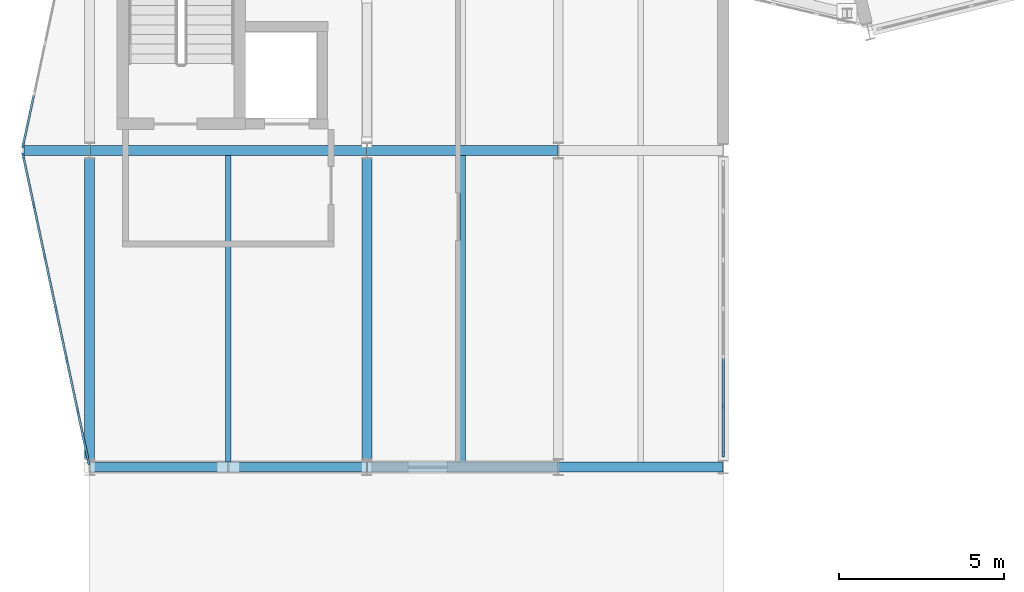
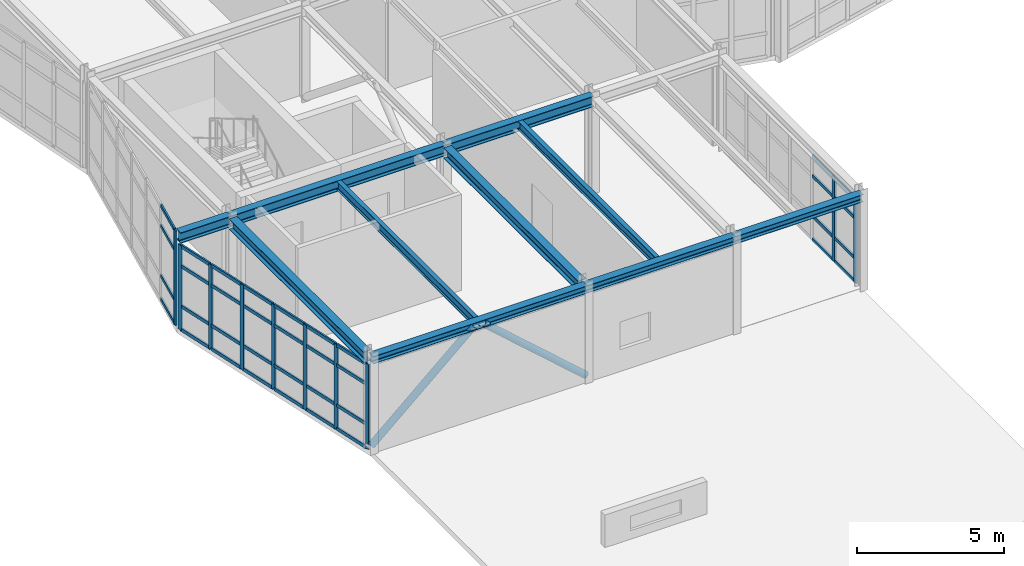
# One storey, part 14 of 88: 48 members, 10 beams, 3 elements without a shape of their own.
"""IFC4 building model written with IfcOpenShell, lengths in metres."""

from ifc_helpers import new_model, si_unit, direction, frame, origin, origin_2d, place, context, subcontext, project, spatial, rectangle, hollow_circle, i_section, extrude, material, layer, layer_set, material_profile, profile_set, type_object, element, aggregate, save


model = new_model("IFC4")

# Units and contexts
model_context = context("Model", 3, precision=1e-05, world=origin(), true_north=direction((0.0, 1.0)))
body_context = subcontext(model_context, "Body", "Model", "MODEL_VIEW")
ifc_project = project(units=[si_unit("LENGTHUNIT", "METRE"), si_unit("AREAUNIT", "SQUARE_METRE"), si_unit("VOLUMEUNIT", "CUBIC_METRE"), si_unit("PLANEANGLEUNIT", "RADIAN"), si_unit("MASSUNIT", "GRAM", prefix="KILO")], contexts=[model_context])

# Site, building, storey
site_placement = place(None, origin())
site = spatial("IfcSite", under=ifc_project, at=site_placement, CompositionType="ELEMENT")
building_placement = place(site_placement, origin())
building = spatial("IfcBuilding", under=site, at=building_placement, Name="Nordkorset Police Headquarters", CompositionType="ELEMENT")
storey_placement = place(building_placement, frame((0.0, 0.0, 9.449951171875)))
storey = spatial("IfcBuildingStorey", under=building, at=storey_placement, Name="L02", CompositionType="ELEMENT", Elevation=9.449951171875)

# Beams
ifc_material_1 = material(Name="Steel S355J2", Category="steel")
ifc_material_profile_1 = material_profile(ifc_material_1, i_section(OverallWidth=0.169921875, OverallDepth=0.360107421875, WebThickness=0.008056640625, FlangeThickness=0.0126953125, FilletRadius=0.01806640625, at=origin_2d()), Name="IPE 360")
ifc_profile_set_1 = profile_set([ifc_material_profile_1], Name="Steel S355J2")
beam_type_1 = type_object("IfcBeamType", Name="Beam_IPE_360", PredefinedType="BEAM", material=ifc_profile_set_1)
for number, where, z_axis, x_axis, name in (
    (1, (4.199951171875, 28.949951171875, 3.7900390625), (0.0, 1.0, 0.0), (-1.0, 0.0, 0.0), "Composite Floor Beam V3 L02 0-0-1"),
    (2, (11.300048828125, 28.949951171875, 3.7900390625), (0.0, 1.0, 0.0), (-1.0, 0.0, 0.0), "Composite Floor Beam V3 L02 1-0-1"),
):
    element("IfcBeam", number, at=place(storey_placement, frame(where, z_axis=z_axis, x_axis=x_axis)), inside=storey, type_object=beam_type_1, Name=name, PredefinedType="BEAM", context=body_context, shape_type="SweptSolid", body=[
        extrude(i_section(OverallWidth=0.169921875, OverallDepth=0.360107421875, WebThickness=0.008056640625, FlangeThickness=0.0126953125, FilletRadius=0.01806640625, at=origin_2d()), origin(), (0.0, 0.0, 1.0), 9.300048828125),
    ])

# Members
ifc_material_2 = material(Name="Steel S355J2", Category="steel")
ifc_material_profile_2 = material_profile(ifc_material_2, hollow_circle(Radius=0.136474609375, WallThickness=0.012451171875, at=origin_2d()), Name="CHS 273x12.5")
ifc_profile_set_2 = profile_set([ifc_material_profile_2], Name="Steel S355J2")
member_type_1 = type_object("IfcMemberType", Name="Brace_CHS_273x12.5", PredefinedType="BRACE", material=ifc_profile_set_2)
for number, where, z_axis, x_axis, name in (
    (3, (0.00732421875, 28.800048828125, 0.199951171875), (0.748963510231, 0.0, 0.662611243749), (0.0, 1.0, 0.0), "Lateral Chevron Brace BF-EXT-V3S L02 D1"),
    (4, (8.392578125, 28.800048828125, 0.199951171875), (-0.748963510231, 0.0, 0.662611243749), (0.0, -1.0, 0.0), "Lateral Chevron Brace BF-EXT-V3S L02 D2"),
):
    element("IfcMember", number, at=place(storey_placement, frame(where, z_axis=z_axis, x_axis=x_axis)), inside=storey, type_object=member_type_1, Name=name, PredefinedType="BRACE", context=body_context, shape_type="SweptSolid", body=[
        extrude(hollow_circle(Radius=0.136474609375, WallThickness=0.012451171875, at=origin_2d()), origin(), (0.0, 0.0, 1.0), 5.357666015625),
    ])

# Curtain wall, members
ifc_material_3 = material(Name="Aluminium alloy AW-6060", Category="aluminium")
ifc_layer_1 = layer(ifc_material_3, 0.179931640625, Name="Aluminium alloy AW-6060")
ifc_layer_set_1 = layer_set([ifc_layer_1], Name="Aluminium alloy AW-6060")
curtain_wall_type_1 = type_object("IfcCurtainWallType", Name="CW_Unit_954x351", PredefinedType="USERDEFINED", material=ifc_layer_set_1)
curtain_wall_1_placement = place(storey_placement, origin())
curtain_wall_1 = element("IfcCurtainWall", 5, at=curtain_wall_1_placement, inside=storey, type_object=curtain_wall_type_1, Name="Unitised Curtain Wall L02 V3W-0", ObjectType="UNITISED CURTAIN WALL", PredefinedType="USERDEFINED")
ifc_material_4 = material(Name="Aluminium alloy AW-6060", Category="aluminium")
ifc_material_profile_3 = material_profile(ifc_material_4, rectangle(XDim=0.06494140625, YDim=0.179931640625, at=origin_2d()), Name="ALU MULL 65x180")
ifc_profile_set_3 = profile_set([ifc_material_profile_3], Name="Aluminium alloy AW-6060")
member_type_2 = type_object("IfcMemberType", Name="CW_Mullion_65x180", PredefinedType="MULLION", material=ifc_profile_set_3)
member_1_placement = place(storey_placement, frame((-0.0361328125, 28.96875, 0.0), z_axis=(0.0, 0.0, 1.0), x_axis=(-0.977951416289, -0.208832534289, 0.0)))
member_1 = element("IfcMember", 6, at=member_1_placement, type_object=member_type_2, Name="CW-03 mullion 1", PredefinedType="MULLION", context=body_context, shape_type="SweptSolid", body=[
    extrude(rectangle(XDim=0.06494140625, YDim=0.179931640625, at=origin_2d()), origin(), (0.0, 0.0, 1.0), 3.510009765625),
])
member_2_placement = place(storey_placement, frame((-0.361083984375, 30.4912109375, 0.0), z_axis=(0.0, 0.0, 1.0), x_axis=(-0.977951416289, -0.208832534289, 0.0)))
member_2 = element("IfcMember", 7, at=member_2_placement, type_object=member_type_2, Name="CW-03 mullion 2", PredefinedType="MULLION", context=body_context, shape_type="SweptSolid", body=[
    extrude(rectangle(XDim=0.06494140625, YDim=0.179931640625, at=origin_2d()), origin(), (0.0, 0.0, 1.0), 3.510009765625),
])
member_3_placement = place(storey_placement, frame((-0.693115234375, 32.045654296875, 0.0), z_axis=(0.0, 0.0, 1.0), x_axis=(-0.977951416289, -0.208832534289, 0.0)))
member_3 = element("IfcMember", 8, at=member_3_placement, type_object=member_type_2, Name="CW-03 mullion 3", PredefinedType="MULLION", context=body_context, shape_type="SweptSolid", body=[
    extrude(rectangle(XDim=0.06494140625, YDim=0.179931640625, at=origin_2d()), origin(), (0.0, 0.0, 1.0), 3.510009765625),
])
member_4_placement = place(storey_placement, frame((-1.02490234375, 33.60009765625, 0.0), z_axis=(0.0, 0.0, 1.0), x_axis=(-0.977951416289, -0.208832534289, 0.0)))
member_4 = element("IfcMember", 9, at=member_4_placement, type_object=member_type_2, Name="CW-03 mullion 4", PredefinedType="MULLION", context=body_context, shape_type="SweptSolid", body=[
    extrude(rectangle(XDim=0.06494140625, YDim=0.179931640625, at=origin_2d()), origin(), (0.0, 0.0, 1.0), 3.510009765625),
])
member_5_placement = place(storey_placement, frame((-1.35693359375, 35.154296875, 0.0), z_axis=(0.0, 0.0, 1.0), x_axis=(-0.977951416289, -0.208832534289, 0.0)))
member_5 = element("IfcMember", 10, at=member_5_placement, type_object=member_type_2, Name="CW-03 mullion 5", PredefinedType="MULLION", context=body_context, shape_type="SweptSolid", body=[
    extrude(rectangle(XDim=0.06494140625, YDim=0.179931640625, at=origin_2d()), origin(), (0.0, 0.0, 1.0), 3.510009765625),
])
member_6_placement = place(storey_placement, frame((-1.688720703125, 36.708740234375, 0.0), z_axis=(0.0, 0.0, 1.0), x_axis=(-0.977951416289, -0.208832534289, 0.0)))
member_6 = element("IfcMember", 11, at=member_6_placement, type_object=member_type_2, Name="CW-03 mullion 6", PredefinedType="MULLION", context=body_context, shape_type="SweptSolid", body=[
    extrude(rectangle(XDim=0.06494140625, YDim=0.179931640625, at=origin_2d()), origin(), (0.0, 0.0, 1.0), 3.510009765625),
])
member_7_placement = place(storey_placement, frame((-2.013916015625, 38.231201171875, 0.0), z_axis=(0.0, 0.0, 1.0), x_axis=(-0.977951416289, -0.208832534289, 0.0)))
member_7 = element("IfcMember", 12, at=member_7_placement, type_object=member_type_2, Name="CW-03 mullion 7", PredefinedType="MULLION", context=body_context, shape_type="SweptSolid", body=[
    extrude(rectangle(XDim=0.06494140625, YDim=0.179931640625, at=origin_2d()), origin(), (0.0, 0.0, 1.0), 3.510009765625),
])

ifc_material_5 = material(Name="Aluminium alloy AW-6060", Category="aluminium")
ifc_layer_2 = layer(ifc_material_5, 0.179931640625, Name="Aluminium alloy AW-6060")
ifc_layer_set_2 = layer_set([ifc_layer_2], Name="Aluminium alloy AW-6060")
curtain_wall_type_2 = type_object("IfcCurtainWallType", Name="CW_Unit_888x351", PredefinedType="USERDEFINED", material=ifc_layer_set_2)
curtain_wall_2_placement = place(storey_placement, origin())
curtain_wall_2 = element("IfcCurtainWall", 13, at=curtain_wall_2_placement, inside=storey, type_object=curtain_wall_type_2, Name="Unitised Curtain Wall L02 V3E-0", ObjectType="UNITISED CURTAIN WALL", PredefinedType="USERDEFINED")
member_8_placement = place(storey_placement, frame((19.199951171875, 29.1923828125, 0.0), z_axis=(0.0, 0.0, 1.0), x_axis=(-1.0, 0.0, 0.0)))
member_8 = element("IfcMember", 14, at=member_8_placement, type_object=member_type_2, Name="CW-58 mullion 1", PredefinedType="MULLION", context=body_context, shape_type="SweptSolid", body=[
    extrude(rectangle(XDim=0.06494140625, YDim=0.179931640625, at=origin_2d()), origin(), (0.0, 0.0, 1.0), 3.510009765625),
])
member_9_placement = place(storey_placement, frame((19.199951171875, 30.639892578125, 0.0), z_axis=(0.0, 0.0, 1.0), x_axis=(-1.0, 0.0, 0.0)))
member_9 = element("IfcMember", 15, at=member_9_placement, type_object=member_type_2, Name="CW-58 mullion 2", PredefinedType="MULLION", context=body_context, shape_type="SweptSolid", body=[
    extrude(rectangle(XDim=0.06494140625, YDim=0.179931640625, at=origin_2d()), origin(), (0.0, 0.0, 1.0), 3.510009765625),
])

# Curtain wall, member
ifc_material_6 = material(Name="Aluminium alloy AW-6060", Category="aluminium")
ifc_layer_3 = layer(ifc_material_6, 0.179931640625, Name="Aluminium alloy AW-6060")
ifc_layer_set_3 = layer_set([ifc_layer_3], Name="Aluminium alloy AW-6060")
curtain_wall_type_3 = type_object("IfcCurtainWallType", Name="CW_Unit_954x392", PredefinedType="USERDEFINED", material=ifc_layer_set_3)
curtain_wall_3_placement = place(storey_placement, origin())
curtain_wall_3 = element("IfcCurtainWall", 16, at=curtain_wall_3_placement, inside=storey, type_object=curtain_wall_type_3, Name="Unitised Curtain Wall L02 V3W-1", ObjectType="UNITISED CURTAIN WALL", PredefinedType="USERDEFINED")
member_10_placement = place(storey_placement, frame((-2.013916015625, 38.568603515625, 0.0), z_axis=(0.0, 0.0, 1.0), x_axis=(-0.977951416289, 0.208832534289, 0.0)))
member_10 = element("IfcMember", 17, at=member_10_placement, type_object=member_type_2, Name="CW-20 mullion 1", PredefinedType="MULLION", context=body_context, shape_type="SweptSolid", body=[
    extrude(rectangle(XDim=0.06494140625, YDim=0.179931640625, at=origin_2d()), origin(), (0.0, 0.0, 1.0), 3.920166015625),
])

# Member
ifc_material_7 = material(Name="Aluminium alloy AW-6060", Category="aluminium")
ifc_material_profile_4 = material_profile(ifc_material_7, rectangle(XDim=0.06494140625, YDim=0.139892578125, at=origin_2d()), Name="ALU TRAN 65x140")
ifc_profile_set_4 = profile_set([ifc_material_profile_4], Name="Aluminium alloy AW-6060")
member_type_3 = type_object("IfcMemberType", Name="CW_Transom_65x140", PredefinedType="USERDEFINED", material=ifc_profile_set_4)
member_11_placement = place(storey_placement, frame((-0.042724609375, 29.00048828125, 0.032470703125), z_axis=(-0.208970278443, 0.977921992148, 0.0), x_axis=(-0.977921992148, -0.208970278443, 0.0)))
member_11 = element("IfcMember", 18, at=member_11_placement, type_object=member_type_3, Name="CW-03 transom 1.1", ObjectType="TRANSOM", PredefinedType="USERDEFINED", context=body_context, shape_type="SweptSolid", body=[
    extrude(rectangle(XDim=0.06494140625, YDim=0.139892578125, at=origin_2d()), origin(), (0.0, 0.0, 1.0), 1.491943359375),
])

member_12_placement = place(storey_placement, frame((-0.042724609375, 29.00048828125, 1.0), z_axis=(-0.208970278443, 0.977921992148, 0.0), x_axis=(-0.977921992148, -0.208970278443, 0.0)))
member_12 = element("IfcMember", 19, at=member_12_placement, type_object=member_type_3, Name="CW-03 transom 1.2", ObjectType="TRANSOM", PredefinedType="USERDEFINED", context=body_context, shape_type="SweptSolid", body=[
    extrude(rectangle(XDim=0.06494140625, YDim=0.139892578125, at=origin_2d()), origin(), (0.0, 0.0, 1.0), 1.491943359375),
])

member_13_placement = place(storey_placement, frame((-0.042724609375, 29.00048828125, 2.66015625), z_axis=(-0.208970278443, 0.977921992148, 0.0), x_axis=(-0.977921992148, -0.208970278443, 0.0)))
member_13 = element("IfcMember", 20, at=member_13_placement, type_object=member_type_3, Name="CW-03 transom 1.3", ObjectType="TRANSOM", PredefinedType="USERDEFINED", context=body_context, shape_type="SweptSolid", body=[
    extrude(rectangle(XDim=0.06494140625, YDim=0.139892578125, at=origin_2d()), origin(), (0.0, 0.0, 1.0), 1.491943359375),
])

member_14_placement = place(storey_placement, frame((-0.042724609375, 29.00048828125, 3.4775390625), z_axis=(-0.208970278443, 0.977921992148, 0.0), x_axis=(-0.977921992148, -0.208970278443, 0.0)))
member_14 = element("IfcMember", 21, at=member_14_placement, type_object=member_type_3, Name="CW-03 transom 1.4", ObjectType="TRANSOM", PredefinedType="USERDEFINED", context=body_context, shape_type="SweptSolid", body=[
    extrude(rectangle(XDim=0.06494140625, YDim=0.139892578125, at=origin_2d()), origin(), (0.0, 0.0, 1.0), 1.491943359375),
])

member_15_placement = place(storey_placement, frame((-0.367919921875, 30.52294921875, 0.032470703125), z_axis=(-0.208818182896, 0.977954480787, 0.0), x_axis=(-0.977954480787, -0.208818182896, 0.0)))
member_15 = element("IfcMember", 22, at=member_15_placement, type_object=member_type_3, Name="CW-03 transom 2.1", ObjectType="TRANSOM", PredefinedType="USERDEFINED", context=body_context, shape_type="SweptSolid", body=[
    extrude(rectangle(XDim=0.06494140625, YDim=0.139892578125, at=origin_2d()), origin(), (0.0, 0.0, 1.0), 1.524658203125),
])

member_16_placement = place(storey_placement, frame((-0.367919921875, 30.52294921875, 1.0), z_axis=(-0.208818182896, 0.977954480787, 0.0), x_axis=(-0.977954480787, -0.208818182896, 0.0)))
member_16 = element("IfcMember", 23, at=member_16_placement, type_object=member_type_3, Name="CW-03 transom 2.2", ObjectType="TRANSOM", PredefinedType="USERDEFINED", context=body_context, shape_type="SweptSolid", body=[
    extrude(rectangle(XDim=0.06494140625, YDim=0.139892578125, at=origin_2d()), origin(), (0.0, 0.0, 1.0), 1.524658203125),
])

member_17_placement = place(storey_placement, frame((-0.367919921875, 30.52294921875, 2.66015625), z_axis=(-0.208818182896, 0.977954480787, 0.0), x_axis=(-0.977954480787, -0.208818182896, 0.0)))
member_17 = element("IfcMember", 24, at=member_17_placement, type_object=member_type_3, Name="CW-03 transom 2.3", ObjectType="TRANSOM", PredefinedType="USERDEFINED", context=body_context, shape_type="SweptSolid", body=[
    extrude(rectangle(XDim=0.06494140625, YDim=0.139892578125, at=origin_2d()), origin(), (0.0, 0.0, 1.0), 1.524658203125),
])

member_18_placement = place(storey_placement, frame((-0.367919921875, 30.52294921875, 3.4775390625), z_axis=(-0.208818182896, 0.977954480787, 0.0), x_axis=(-0.977954480787, -0.208818182896, 0.0)))
member_18 = element("IfcMember", 25, at=member_18_placement, type_object=member_type_3, Name="CW-03 transom 2.4", ObjectType="TRANSOM", PredefinedType="USERDEFINED", context=body_context, shape_type="SweptSolid", body=[
    extrude(rectangle(XDim=0.06494140625, YDim=0.139892578125, at=origin_2d()), origin(), (0.0, 0.0, 1.0), 1.524658203125),
])

member_19_placement = place(storey_placement, frame((-0.699951171875, 32.077392578125, 0.032470703125), z_axis=(-0.208850890154, 0.977947496383, 0.0), x_axis=(-0.977947496383, -0.208850890154, 0.0)))
member_19 = element("IfcMember", 26, at=member_19_placement, type_object=member_type_3, Name="CW-03 transom 3.1", ObjectType="TRANSOM", PredefinedType="USERDEFINED", context=body_context, shape_type="SweptSolid", body=[
    extrude(rectangle(XDim=0.06494140625, YDim=0.139892578125, at=origin_2d()), origin(), (0.0, 0.0, 1.0), 1.5244140625),
])

member_20_placement = place(storey_placement, frame((-0.699951171875, 32.077392578125, 1.0), z_axis=(-0.208850890154, 0.977947496383, 0.0), x_axis=(-0.977947496383, -0.208850890154, 0.0)))
member_20 = element("IfcMember", 27, at=member_20_placement, type_object=member_type_3, Name="CW-03 transom 3.2", ObjectType="TRANSOM", PredefinedType="USERDEFINED", context=body_context, shape_type="SweptSolid", body=[
    extrude(rectangle(XDim=0.06494140625, YDim=0.139892578125, at=origin_2d()), origin(), (0.0, 0.0, 1.0), 1.5244140625),
])

member_21_placement = place(storey_placement, frame((-0.699951171875, 32.077392578125, 2.66015625), z_axis=(-0.208850890154, 0.977947496383, 0.0), x_axis=(-0.977947496383, -0.208850890154, 0.0)))
member_21 = element("IfcMember", 28, at=member_21_placement, type_object=member_type_3, Name="CW-03 transom 3.3", ObjectType="TRANSOM", PredefinedType="USERDEFINED", context=body_context, shape_type="SweptSolid", body=[
    extrude(rectangle(XDim=0.06494140625, YDim=0.139892578125, at=origin_2d()), origin(), (0.0, 0.0, 1.0), 1.5244140625),
])

member_22_placement = place(storey_placement, frame((-0.699951171875, 32.077392578125, 3.4775390625), z_axis=(-0.208850890154, 0.977947496383, 0.0), x_axis=(-0.977947496383, -0.208850890154, 0.0)))
member_22 = element("IfcMember", 29, at=member_22_placement, type_object=member_type_3, Name="CW-03 transom 3.4", ObjectType="TRANSOM", PredefinedType="USERDEFINED", context=body_context, shape_type="SweptSolid", body=[
    extrude(rectangle(XDim=0.06494140625, YDim=0.139892578125, at=origin_2d()), origin(), (0.0, 0.0, 1.0), 1.5244140625),
])

member_23_placement = place(storey_placement, frame((-1.03173828125, 33.6318359375, 0.032470703125), z_axis=(-0.208850890154, 0.977947496383, 0.0), x_axis=(-0.977947496383, -0.208850890154, 0.0)))
member_23 = element("IfcMember", 30, at=member_23_placement, type_object=member_type_3, Name="CW-03 transom 4.1", ObjectType="TRANSOM", PredefinedType="USERDEFINED", context=body_context, shape_type="SweptSolid", body=[
    extrude(rectangle(XDim=0.06494140625, YDim=0.139892578125, at=origin_2d()), origin(), (0.0, 0.0, 1.0), 1.5244140625),
])

member_24_placement = place(storey_placement, frame((-1.03173828125, 33.6318359375, 1.0), z_axis=(-0.208850890154, 0.977947496383, 0.0), x_axis=(-0.977947496383, -0.208850890154, 0.0)))
member_24 = element("IfcMember", 31, at=member_24_placement, type_object=member_type_3, Name="CW-03 transom 4.2", ObjectType="TRANSOM", PredefinedType="USERDEFINED", context=body_context, shape_type="SweptSolid", body=[
    extrude(rectangle(XDim=0.06494140625, YDim=0.139892578125, at=origin_2d()), origin(), (0.0, 0.0, 1.0), 1.5244140625),
])

member_25_placement = place(storey_placement, frame((-1.03173828125, 33.6318359375, 2.66015625), z_axis=(-0.208850890154, 0.977947496383, 0.0), x_axis=(-0.977947496383, -0.208850890154, 0.0)))
member_25 = element("IfcMember", 32, at=member_25_placement, type_object=member_type_3, Name="CW-03 transom 4.3", ObjectType="TRANSOM", PredefinedType="USERDEFINED", context=body_context, shape_type="SweptSolid", body=[
    extrude(rectangle(XDim=0.06494140625, YDim=0.139892578125, at=origin_2d()), origin(), (0.0, 0.0, 1.0), 1.5244140625),
])

member_26_placement = place(storey_placement, frame((-1.03173828125, 33.6318359375, 3.4775390625), z_axis=(-0.208850890154, 0.977947496383, 0.0), x_axis=(-0.977947496383, -0.208850890154, 0.0)))
member_26 = element("IfcMember", 33, at=member_26_placement, type_object=member_type_3, Name="CW-03 transom 4.4", ObjectType="TRANSOM", PredefinedType="USERDEFINED", context=body_context, shape_type="SweptSolid", body=[
    extrude(rectangle(XDim=0.06494140625, YDim=0.139892578125, at=origin_2d()), origin(), (0.0, 0.0, 1.0), 1.5244140625),
])

member_27_placement = place(storey_placement, frame((-1.36376953125, 35.18603515625, 0.032470703125), z_axis=(-0.208818182896, 0.977954480787, 0.0), x_axis=(-0.977954480787, -0.208818182896, 0.0)))
member_27 = element("IfcMember", 34, at=member_27_placement, type_object=member_type_3, Name="CW-03 transom 5.1", ObjectType="TRANSOM", PredefinedType="USERDEFINED", context=body_context, shape_type="SweptSolid", body=[
    extrude(rectangle(XDim=0.06494140625, YDim=0.139892578125, at=origin_2d()), origin(), (0.0, 0.0, 1.0), 1.524658203125),
])

member_28_placement = place(storey_placement, frame((-1.36376953125, 35.18603515625, 1.0), z_axis=(-0.208818182896, 0.977954480787, 0.0), x_axis=(-0.977954480787, -0.208818182896, 0.0)))
member_28 = element("IfcMember", 35, at=member_28_placement, type_object=member_type_3, Name="CW-03 transom 5.2", ObjectType="TRANSOM", PredefinedType="USERDEFINED", context=body_context, shape_type="SweptSolid", body=[
    extrude(rectangle(XDim=0.06494140625, YDim=0.139892578125, at=origin_2d()), origin(), (0.0, 0.0, 1.0), 1.524658203125),
])

member_29_placement = place(storey_placement, frame((-1.36376953125, 35.18603515625, 2.66015625), z_axis=(-0.208818182896, 0.977954480787, 0.0), x_axis=(-0.977954480787, -0.208818182896, 0.0)))
member_29 = element("IfcMember", 36, at=member_29_placement, type_object=member_type_3, Name="CW-03 transom 5.3", ObjectType="TRANSOM", PredefinedType="USERDEFINED", context=body_context, shape_type="SweptSolid", body=[
    extrude(rectangle(XDim=0.06494140625, YDim=0.139892578125, at=origin_2d()), origin(), (0.0, 0.0, 1.0), 1.524658203125),
])

member_30_placement = place(storey_placement, frame((-1.36376953125, 35.18603515625, 3.4775390625), z_axis=(-0.208818182896, 0.977954480787, 0.0), x_axis=(-0.977954480787, -0.208818182896, 0.0)))
member_30 = element("IfcMember", 37, at=member_30_placement, type_object=member_type_3, Name="CW-03 transom 5.4", ObjectType="TRANSOM", PredefinedType="USERDEFINED", context=body_context, shape_type="SweptSolid", body=[
    extrude(rectangle(XDim=0.06494140625, YDim=0.139892578125, at=origin_2d()), origin(), (0.0, 0.0, 1.0), 1.524658203125),
])

member_31_placement = place(storey_placement, frame((-1.695556640625, 36.740478515625, 0.032470703125), z_axis=(-0.208813774846, 0.977955422008, 0.0), x_axis=(-0.977955422008, -0.208813774846, 0.0)))
member_31 = element("IfcMember", 38, at=member_31_placement, type_object=member_type_3, Name="CW-03 transom 6.1", ObjectType="TRANSOM", PredefinedType="USERDEFINED", context=body_context, shape_type="SweptSolid", body=[
    extrude(rectangle(XDim=0.06494140625, YDim=0.139892578125, at=origin_2d()), origin(), (0.0, 0.0, 1.0), 1.491943359375),
])

member_32_placement = place(storey_placement, frame((-1.695556640625, 36.740478515625, 1.0), z_axis=(-0.208813774846, 0.977955422008, 0.0), x_axis=(-0.977955422008, -0.208813774846, 0.0)))
member_32 = element("IfcMember", 39, at=member_32_placement, type_object=member_type_3, Name="CW-03 transom 6.2", ObjectType="TRANSOM", PredefinedType="USERDEFINED", context=body_context, shape_type="SweptSolid", body=[
    extrude(rectangle(XDim=0.06494140625, YDim=0.139892578125, at=origin_2d()), origin(), (0.0, 0.0, 1.0), 1.491943359375),
])

member_33_placement = place(storey_placement, frame((-1.695556640625, 36.740478515625, 2.66015625), z_axis=(-0.208813774846, 0.977955422008, 0.0), x_axis=(-0.977955422008, -0.208813774846, 0.0)))
member_33 = element("IfcMember", 40, at=member_33_placement, type_object=member_type_3, Name="CW-03 transom 6.3", ObjectType="TRANSOM", PredefinedType="USERDEFINED", context=body_context, shape_type="SweptSolid", body=[
    extrude(rectangle(XDim=0.06494140625, YDim=0.139892578125, at=origin_2d()), origin(), (0.0, 0.0, 1.0), 1.491943359375),
])

member_34_placement = place(storey_placement, frame((-1.695556640625, 36.740478515625, 3.4775390625), z_axis=(-0.208813774846, 0.977955422008, 0.0), x_axis=(-0.977955422008, -0.208813774846, 0.0)))
member_34 = element("IfcMember", 41, at=member_34_placement, type_object=member_type_3, Name="CW-03 transom 6.4", ObjectType="TRANSOM", PredefinedType="USERDEFINED", context=body_context, shape_type="SweptSolid", body=[
    extrude(rectangle(XDim=0.06494140625, YDim=0.139892578125, at=origin_2d()), origin(), (0.0, 0.0, 1.0), 1.491943359375),
])

aggregate(curtain_wall_1, [member_1, member_2, member_3, member_4, member_5, member_6, member_7, member_11, member_12, member_13, member_14, member_15, member_16, member_17, member_18, member_19, member_20, member_21, member_22, member_23, member_24, member_25, member_26, member_27, member_28, member_29, member_30, member_31, member_32, member_33, member_34])

member_35_placement = place(storey_placement, frame((19.199951171875, 29.22509765625, 0.032470703125), z_axis=(0.0, 1.0, 0.0), x_axis=(-1.0, 0.0, 0.0)))
member_35 = element("IfcMember", 42, at=member_35_placement, type_object=member_type_3, Name="CW-58 transom 1.1", ObjectType="TRANSOM", PredefinedType="USERDEFINED", context=body_context, shape_type="SweptSolid", body=[
    extrude(rectangle(XDim=0.06494140625, YDim=0.139892578125, at=origin_2d()), origin(), (0.0, 0.0, 1.0), 1.38232421875),
])

member_36_placement = place(storey_placement, frame((19.199951171875, 29.22509765625, 1.0), z_axis=(0.0, 1.0, 0.0), x_axis=(-1.0, 0.0, 0.0)))
member_36 = element("IfcMember", 43, at=member_36_placement, type_object=member_type_3, Name="CW-58 transom 1.2", ObjectType="TRANSOM", PredefinedType="USERDEFINED", context=body_context, shape_type="SweptSolid", body=[
    extrude(rectangle(XDim=0.06494140625, YDim=0.139892578125, at=origin_2d()), origin(), (0.0, 0.0, 1.0), 1.38232421875),
])

member_37_placement = place(storey_placement, frame((19.199951171875, 29.22509765625, 2.66015625), z_axis=(0.0, 1.0, 0.0), x_axis=(-1.0, 0.0, 0.0)))
member_37 = element("IfcMember", 44, at=member_37_placement, type_object=member_type_3, Name="CW-58 transom 1.3", ObjectType="TRANSOM", PredefinedType="USERDEFINED", context=body_context, shape_type="SweptSolid", body=[
    extrude(rectangle(XDim=0.06494140625, YDim=0.139892578125, at=origin_2d()), origin(), (0.0, 0.0, 1.0), 1.38232421875),
])

member_38_placement = place(storey_placement, frame((19.199951171875, 29.22509765625, 3.4775390625), z_axis=(0.0, 1.0, 0.0), x_axis=(-1.0, 0.0, 0.0)))
member_38 = element("IfcMember", 45, at=member_38_placement, type_object=member_type_3, Name="CW-58 transom 1.4", ObjectType="TRANSOM", PredefinedType="USERDEFINED", context=body_context, shape_type="SweptSolid", body=[
    extrude(rectangle(XDim=0.06494140625, YDim=0.139892578125, at=origin_2d()), origin(), (0.0, 0.0, 1.0), 1.38232421875),
])

member_39_placement = place(storey_placement, frame((19.199951171875, 30.672607421875, 0.032470703125), z_axis=(0.0, 1.0, 0.0), x_axis=(-1.0, 0.0, 0.0)))
member_39 = element("IfcMember", 46, at=member_39_placement, type_object=member_type_3, Name="CW-58 transom 2.1", ObjectType="TRANSOM", PredefinedType="USERDEFINED", context=body_context, shape_type="SweptSolid", body=[
    extrude(rectangle(XDim=0.06494140625, YDim=0.139892578125, at=origin_2d()), origin(), (0.0, 0.0, 1.0), 1.414794921875),
])

member_40_placement = place(storey_placement, frame((19.199951171875, 30.672607421875, 1.0), z_axis=(0.0, 1.0, 0.0), x_axis=(-1.0, 0.0, 0.0)))
member_40 = element("IfcMember", 47, at=member_40_placement, type_object=member_type_3, Name="CW-58 transom 2.2", ObjectType="TRANSOM", PredefinedType="USERDEFINED", context=body_context, shape_type="SweptSolid", body=[
    extrude(rectangle(XDim=0.06494140625, YDim=0.139892578125, at=origin_2d()), origin(), (0.0, 0.0, 1.0), 1.414794921875),
])

member_41_placement = place(storey_placement, frame((19.199951171875, 30.672607421875, 2.66015625), z_axis=(0.0, 1.0, 0.0), x_axis=(-1.0, 0.0, 0.0)))
member_41 = element("IfcMember", 48, at=member_41_placement, type_object=member_type_3, Name="CW-58 transom 2.3", ObjectType="TRANSOM", PredefinedType="USERDEFINED", context=body_context, shape_type="SweptSolid", body=[
    extrude(rectangle(XDim=0.06494140625, YDim=0.139892578125, at=origin_2d()), origin(), (0.0, 0.0, 1.0), 1.414794921875),
])

member_42_placement = place(storey_placement, frame((19.199951171875, 30.672607421875, 3.4775390625), z_axis=(0.0, 1.0, 0.0), x_axis=(-1.0, 0.0, 0.0)))
member_42 = element("IfcMember", 49, at=member_42_placement, type_object=member_type_3, Name="CW-58 transom 2.4", ObjectType="TRANSOM", PredefinedType="USERDEFINED", context=body_context, shape_type="SweptSolid", body=[
    extrude(rectangle(XDim=0.06494140625, YDim=0.139892578125, at=origin_2d()), origin(), (0.0, 0.0, 1.0), 1.414794921875),
])

aggregate(curtain_wall_2, [member_8, member_9, member_35, member_36, member_37, member_38, member_39, member_40, member_41, member_42])

member_43_placement = place(storey_placement, frame((-2.007080078125, 38.6005859375, 0.032470703125), z_axis=(0.208813774846, 0.977955422008, 0.0), x_axis=(-0.977955422008, 0.208813774846, 0.0)))
member_43 = element("IfcMember", 50, at=member_43_placement, type_object=member_type_3, Name="CW-20 transom 1.1", ObjectType="TRANSOM", PredefinedType="USERDEFINED", context=body_context, shape_type="SweptSolid", body=[
    extrude(rectangle(XDim=0.06494140625, YDim=0.139892578125, at=origin_2d()), origin(), (0.0, 0.0, 1.0), 1.491943359375),
])

member_44_placement = place(storey_placement, frame((-2.007080078125, 38.6005859375, 1.0), z_axis=(0.208813774846, 0.977955422008, 0.0), x_axis=(-0.977955422008, 0.208813774846, 0.0)))
member_44 = element("IfcMember", 51, at=member_44_placement, type_object=member_type_3, Name="CW-20 transom 1.2", ObjectType="TRANSOM", PredefinedType="USERDEFINED", context=body_context, shape_type="SweptSolid", body=[
    extrude(rectangle(XDim=0.06494140625, YDim=0.139892578125, at=origin_2d()), origin(), (0.0, 0.0, 1.0), 1.491943359375),
])

member_45_placement = place(storey_placement, frame((-2.007080078125, 38.6005859375, 3.070068359375), z_axis=(0.208813774846, 0.977955422008, 0.0), x_axis=(-0.977955422008, 0.208813774846, 0.0)))
member_45 = element("IfcMember", 52, at=member_45_placement, type_object=member_type_3, Name="CW-20 transom 1.3", ObjectType="TRANSOM", PredefinedType="USERDEFINED", context=body_context, shape_type="SweptSolid", body=[
    extrude(rectangle(XDim=0.06494140625, YDim=0.139892578125, at=origin_2d()), origin(), (0.0, 0.0, 1.0), 1.491943359375),
])

member_46_placement = place(storey_placement, frame((-2.007080078125, 38.6005859375, 3.887451171875), z_axis=(0.208813774846, 0.977955422008, 0.0), x_axis=(-0.977955422008, 0.208813774846, 0.0)))
member_46 = element("IfcMember", 53, at=member_46_placement, type_object=member_type_3, Name="CW-20 transom 1.4", ObjectType="TRANSOM", PredefinedType="USERDEFINED", context=body_context, shape_type="SweptSolid", body=[
    extrude(rectangle(XDim=0.06494140625, YDim=0.139892578125, at=origin_2d()), origin(), (0.0, 0.0, 1.0), 1.491943359375),
])

aggregate(curtain_wall_3, [member_10, member_43, member_44, member_45, member_46])

# Beams
ifc_material_8 = material(Name="Steel S355J2", Category="steel")
ifc_material_profile_5 = material_profile(ifc_material_8, i_section(OverallWidth=0.300048828125, OverallDepth=0.43994140625, WebThickness=0.011474609375, FlangeThickness=0.02099609375, FilletRadius=0.027099609375, at=origin_2d()), Name="HEA 450")
ifc_profile_set_5 = profile_set([ifc_material_profile_5], Name="Steel S355J2")
beam_type_2 = type_object("IfcBeamType", Name="Girder_HEA_450", PredefinedType="USERDEFINED", material=ifc_profile_set_5)
beam_1_placement = place(storey_placement, frame((0.00732421875, 38.39990234375, 3.75), z_axis=(1.0, 0.0, 0.0), x_axis=(0.0, 1.0, 0.0)))
element("IfcBeam", 54, at=beam_1_placement, inside=storey, type_object=beam_type_2, Name="Girder V3 L02 GX-1-0", ObjectType="GIRDER", PredefinedType="USERDEFINED", context=body_context, shape_type="SweptSolid", body=[
    extrude(i_section(OverallWidth=0.300048828125, OverallDepth=0.43994140625, WebThickness=0.011474609375, FlangeThickness=0.02099609375, FilletRadius=0.027099609375, at=origin_2d()), origin(), (0.0, 0.0, 1.0), 8.38525390625),
])
beam_2_placement = place(storey_placement, frame((8.4072265625, 38.39990234375, 3.75), z_axis=(1.0, 0.0, 0.0), x_axis=(0.0, 1.0, 0.0)))
element("IfcBeam", 55, at=beam_2_placement, inside=storey, type_object=beam_type_2, Name="Girder V3 L02 GX-1-1", ObjectType="GIRDER", PredefinedType="USERDEFINED", context=body_context, shape_type="SweptSolid", body=[
    extrude(i_section(OverallWidth=0.300048828125, OverallDepth=0.43994140625, WebThickness=0.011474609375, FlangeThickness=0.02099609375, FilletRadius=0.027099609375, at=origin_2d()), origin(), (0.0, 0.0, 1.0), 5.785400390625),
])
for number, where, z_axis, x_axis, name in (
    (56, (0.0, 29.050048828125, 3.75), (0.0, 1.0, 0.0), (-1.0, 0.0, 0.0), "Girder V3 L02 GY-0-0"),
    (57, (8.39990234375, 29.050048828125, 3.75), (0.0, 1.0, 0.0), (-1.0, 0.0, 0.0), "Girder V3 L02 GY-1-0"),
):
    element("IfcBeam", number, at=place(storey_placement, frame(where, z_axis=z_axis, x_axis=x_axis)), inside=storey, type_object=beam_type_2, Name=name, ObjectType="GIRDER", PredefinedType="USERDEFINED", context=body_context, shape_type="SweptSolid", body=[
        extrude(i_section(OverallWidth=0.300048828125, OverallDepth=0.43994140625, WebThickness=0.011474609375, FlangeThickness=0.02099609375, FilletRadius=0.027099609375, at=origin_2d()), origin(), (0.0, 0.0, 1.0), 9.099853515625),
    ])
beam_3_placement = place(storey_placement, frame((-0.00732421875, 38.39990234375, 3.75), z_axis=(-1.0, 0.0, 0.0), x_axis=(0.0, -1.0, 0.0)))
element("IfcBeam", 58, at=beam_3_placement, inside=storey, type_object=beam_type_2, Name="Sawtooth Facade Outrigger V3 L02 38", ObjectType="GIRDER", PredefinedType="USERDEFINED", context=body_context, shape_type="SweptSolid", body=[
    extrude(i_section(OverallWidth=0.300048828125, OverallDepth=0.43994140625, WebThickness=0.011474609375, FlangeThickness=0.02099609375, FilletRadius=0.027099609375, at=origin_2d()), origin(), (0.0, 0.0, 1.0), 1.982666015625),
])
ifc_material_9 = material(Name="Steel S355J2", Category="steel")
ifc_material_profile_6 = material_profile(ifc_material_9, i_section(OverallWidth=0.300048828125, OverallDepth=0.31005859375, WebThickness=0.009033203125, FlangeThickness=0.015380859375, FilletRadius=0.027099609375, at=origin_2d()), Name="HEA 320")
ifc_profile_set_6 = profile_set([ifc_material_profile_6], Name="Steel S355J2")
beam_type_3 = type_object("IfcBeamType", Name="Spandrel_HEA_320", PredefinedType="SPANDREL", material=ifc_profile_set_6)
beam_4_placement = place(storey_placement, frame((0.00732421875, 28.800048828125, 3.81494140625), z_axis=(1.0, 0.0, 0.0), x_axis=(0.0, 1.0, 0.0)))
element("IfcBeam", 59, at=beam_4_placement, inside=storey, type_object=beam_type_3, Name="Girder V3 L02 GX-0-0", PredefinedType="SPANDREL", context=body_context, shape_type="SweptSolid", body=[
    extrude(i_section(OverallWidth=0.300048828125, OverallDepth=0.31005859375, WebThickness=0.009033203125, FlangeThickness=0.015380859375, FilletRadius=0.027099609375, at=origin_2d()), origin(), (0.0, 0.0, 1.0), 8.38525390625),
])
beam_5_placement = place(storey_placement, frame((8.4072265625, 28.800048828125, 3.81494140625), z_axis=(1.0, 0.0, 0.0), x_axis=(0.0, 1.0, 0.0)))
element("IfcBeam", 60, at=beam_5_placement, inside=storey, type_object=beam_type_3, Name="Girder V3 L02 GX-0-1", PredefinedType="SPANDREL", context=body_context, shape_type="SweptSolid", body=[
    extrude(i_section(OverallWidth=0.300048828125, OverallDepth=0.31005859375, WebThickness=0.009033203125, FlangeThickness=0.015380859375, FilletRadius=0.027099609375, at=origin_2d()), origin(), (0.0, 0.0, 1.0), 5.785400390625),
])
beam_6_placement = place(storey_placement, frame((14.207275390625, 28.800048828125, 3.81494140625), z_axis=(1.0, 0.0, 0.0), x_axis=(0.0, 1.0, 0.0)))
element("IfcBeam", 61, at=beam_6_placement, inside=storey, type_object=beam_type_3, Name="Girder V3 L02 GX-0-2", PredefinedType="SPANDREL", context=body_context, shape_type="SweptSolid", body=[
    extrude(i_section(OverallWidth=0.300048828125, OverallDepth=0.31005859375, WebThickness=0.009033203125, FlangeThickness=0.015380859375, FilletRadius=0.027099609375, at=origin_2d()), origin(), (0.0, 0.0, 1.0), 4.986083984375),
])

save(model, "model.ifc")
